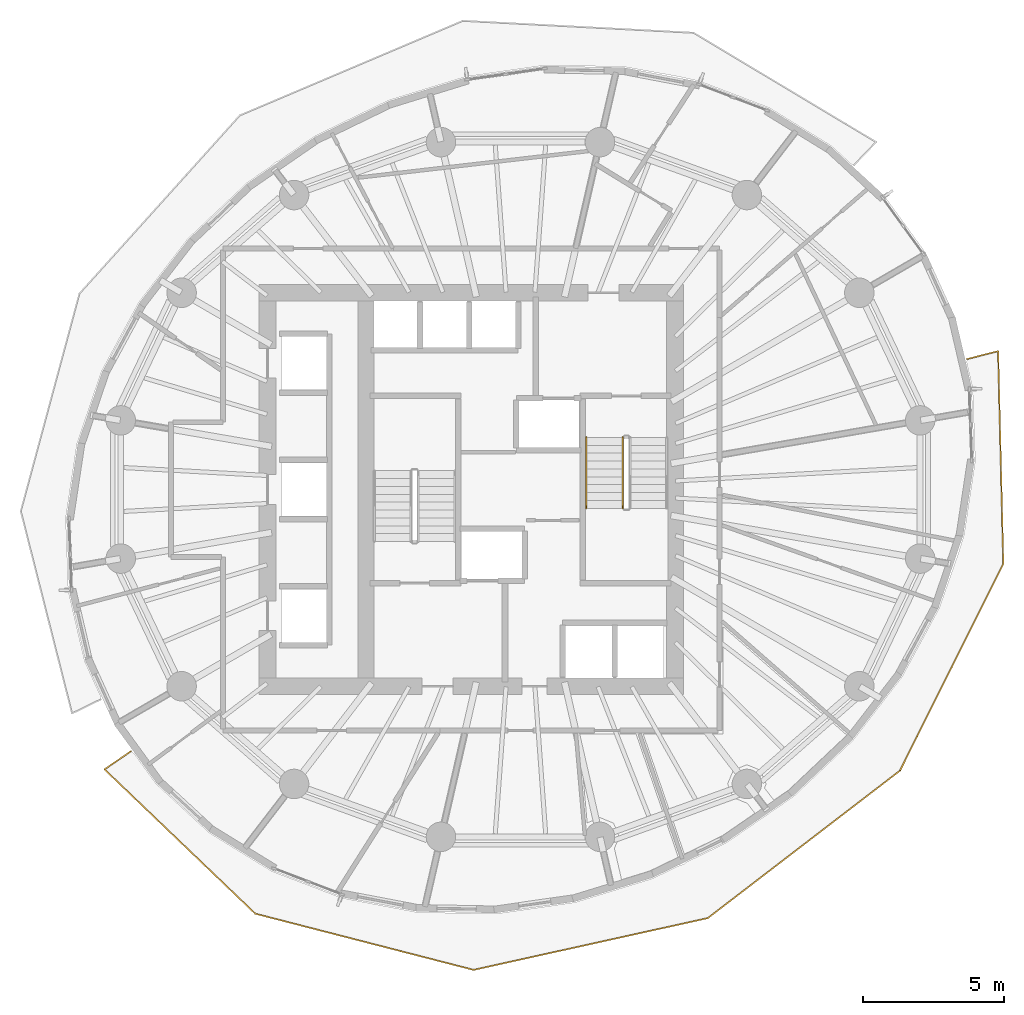
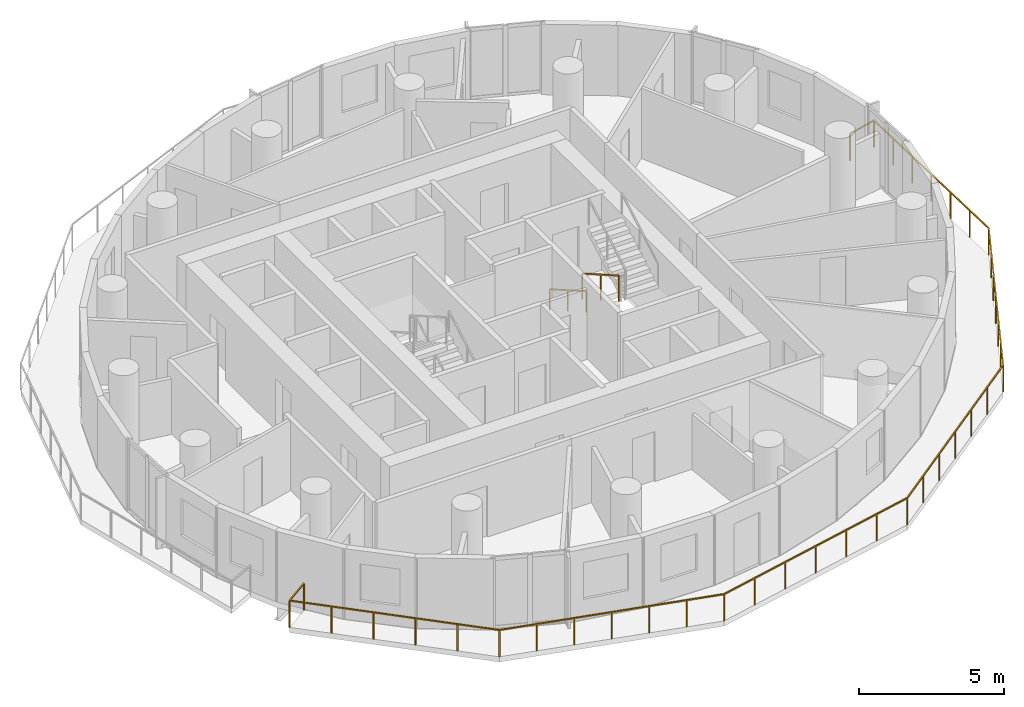
# One storey, part 11 of 14: 3 railings.
"""IFC4 building model written with IfcOpenShell, lengths in metres."""

import ifcopenshell
import ifcopenshell.guid

model = None  # the IFC model being written
_history = None  # IfcOwnerHistory: only IFC2X3 demands one
_inside = {}  # id of a spatial element -> (the spatial element, [elements in it])
_under = {}  # id of a project, library or spatial element -> (it, [spatial elements below it])
_declared = {}  # id of a project -> (the project, [libraries it declares])
_typed = {}  # id of a type object -> (the type object, [elements of that type])
_made_of = {}  # id of a material, layer set ... -> (it, [elements and type objects made of it])


def new_model(schema):
    """Start an empty IFC model of exactly this schema.

    Asked for "IFC4X3", IfcOpenShell would pick the latest addendum, in which some entities
    have other attributes; the version numbers below select the first issue.
    IFC2X3 requires an IfcOwnerHistory on every rooted entity: one is made here for all.
    """
    global model, _history
    if schema == "IFC4X3":
        model = ifcopenshell.file(schema_version=(4, 3, 0, 0))
    else:
        model = ifcopenshell.file(schema=schema)
    _inside.clear()
    _under.clear()
    _declared.clear()
    _typed.clear()
    _made_of.clear()
    _history = None
    if model.schema == "IFC2X3":
        org = make("IfcOrganization", Name="unknown")
        user = make(
            "IfcPersonAndOrganization",
            ThePerson=make("IfcPerson", FamilyName="unknown"),
            TheOrganization=org,
        )
        app = make(
            "IfcApplication",
            ApplicationDeveloper=org,
            Version="unknown",
            ApplicationFullName="unknown",
            ApplicationIdentifier="unknown",
        )
        _history = make(
            "IfcOwnerHistory",
            OwningUser=user,
            OwningApplication=app,
            ChangeAction="ADDED",
            CreationDate=0,
        )
    return model


def make(cls, **values):
    """One entity of the class cls with the attributes given. An attribute that is None is left unset."""
    return model.create_entity(
        cls, **{name: value for name, value in values.items() if value is not None}
    )


def rooted(cls, **values):
    """An entity with a GlobalId (a new one), such as an element, a storey or a relation."""
    return make(cls, GlobalId=ifcopenshell.guid.new(), OwnerHistory=_history, **values)


def si_unit(unit_type, name, prefix=None):
    """IfcSIUnit, for example si_unit("LENGTHUNIT", "METRE", prefix="MILLI")."""
    return make("IfcSIUnit", UnitType=unit_type, Prefix=prefix, Name=name)


def assignment(units):
    """IfcUnitAssignment: the units of a project."""
    return None if units is None else make("IfcUnitAssignment", Units=units)


def point(xyz):
    """IfcCartesianPoint."""
    return None if xyz is None else make("IfcCartesianPoint", Coordinates=xyz)


def direction(xyz):
    """IfcDirection."""
    return None if xyz is None else make("IfcDirection", DirectionRatios=xyz)


def frame(location, z_axis=None, x_axis=None):
    """IfcAxis2Placement3D, a coordinate frame: its origin and axes. An axis left out is left unset."""
    return make(
        "IfcAxis2Placement3D",
        Location=point(location),
        Axis=direction(z_axis),
        RefDirection=direction(x_axis),
    )


def frame_2d(location, x_axis=None):
    """IfcAxis2Placement2D, a coordinate frame in the plane: its origin and x axis."""
    return make(
        "IfcAxis2Placement2D", Location=point(location), RefDirection=direction(x_axis)
    )


def origin():
    """The frame at (0, 0, 0) with its axes left unset."""
    return frame((0.0, 0.0, 0.0))


def origin_2d():
    """The frame at (0, 0) in the plane with its x axis left unset."""
    return frame_2d((0.0, 0.0))


def place(relative_to, where):
    """IfcLocalPlacement: puts the frame where relative to a parent placement (None: the world)."""
    return make(
        "IfcLocalPlacement", PlacementRelTo=relative_to, RelativePlacement=where
    )


def context(
    kind, dimensions, precision=None, world=None, true_north=None, identifier=None
):
    """IfcGeometricRepresentationContext, for example the 3D "Model" context."""
    return make(
        "IfcGeometricRepresentationContext",
        ContextIdentifier=identifier,
        ContextType=kind,
        CoordinateSpaceDimension=dimensions,
        Precision=precision,
        WorldCoordinateSystem=world,
        TrueNorth=true_north,
    )


def subcontext(parent, identifier, kind, view, scale=None):
    """IfcGeometricRepresentationSubContext, for example "Body" below "Model"."""
    return make(
        "IfcGeometricRepresentationSubContext",
        ContextIdentifier=identifier,
        ContextType=kind,
        ParentContext=parent,
        TargetScale=scale,
        TargetView=view,
    )


def project(units=None, contexts=None):
    """IfcProject with its units and contexts."""
    return rooted(
        "IfcProject",
        Name="project",
        RepresentationContexts=contexts,
        UnitsInContext=assignment(units),
    )


def spatial(cls, under=None, at=None, **own):
    """A site, building, storey or space (cls), placed at a placement, below another one or the project."""
    s = rooted(cls, ObjectPlacement=at, **own)
    if under is not None:
        _under.setdefault(under.id(), (under, []))[1].append(s)
    return s


def profile(cls, at=None, kind="AREA", **sizes):
    """A parametric profile (cls). Its sizes go by their IFC names, for example OverallWidth=200.0."""
    return make(cls, ProfileType=kind, Position=at, **sizes)


def rectangle(**sizes):
    """IfcRectangleProfileDef."""
    return profile("IfcRectangleProfileDef", **sizes)


def extrude(swept, where, along, depth):
    """IfcExtrudedAreaSolid: the profile swept, set in the frame where, extruded along a direction by depth."""
    return make(
        "IfcExtrudedAreaSolid",
        SweptArea=swept,
        Position=where,
        ExtrudedDirection=direction(along),
        Depth=depth,
    )


def shape(context_of_items, identifier, shape_type, items):
    """IfcShapeRepresentation: the items that make up one representation, for example the "Body"."""
    return make(
        "IfcShapeRepresentation",
        ContextOfItems=context_of_items,
        RepresentationIdentifier=identifier,
        RepresentationType=shape_type,
        Items=items,
    )


def material(Name=None, Category=None):
    """IfcMaterial."""
    return make("IfcMaterial", Name=Name, Category=Category)


def made_of(thing, what):
    """Note that an element or type object is made of a material, layer set ...; save() writes the relation."""
    if what is not None:
        _made_of.setdefault(what.id(), (what, []))[1].append(thing)
    return thing


def type_object(cls, material=None, **own):
    """A type object (cls), such as IfcWallType, which elements share."""
    return made_of(rooted(cls, **own), material)


def element(
    cls,
    number,
    at=None,
    inside=None,
    cuts=None,
    type_object=None,
    material=None,
    context=None,
    identifier="Body",
    shape_type=None,
    held_by="IfcProductDefinitionShape",
    body=None,
    shapes=None,
    **own,
):
    """One element of the class cls, such as IfcWall. Its Tag is "e" and its number.

    at: its placement. inside: the storey or other place that contains it. cuts: it is an
    opening in that element (IfcRelVoidsElement). A single representation is given by context,
    identifier, shape_type and body (its items); several are given by shapes. held_by: the class
    of the entity that holds the representations. save() writes the other relations.
    """
    e = rooted(cls, Tag="e%d" % number, ObjectPlacement=at, **own)
    if body is not None:
        shapes = [shape(context, identifier, shape_type, body)]
    if shapes is not None:
        e.Representation = make(held_by, Representations=shapes)
    if inside is not None:
        _inside.setdefault(inside.id(), (inside, []))[1].append(e)
    if cuts is not None:
        rooted(
            "IfcRelVoidsElement", RelatingBuildingElement=cuts, RelatedOpeningElement=e
        )
    if type_object is not None:
        _typed.setdefault(type_object.id(), (type_object, []))[1].append(e)
    return made_of(e, material)


def aggregate(whole, parts):
    """IfcRelAggregates: a whole, such as a stair, and the parts it consists of."""
    return rooted("IfcRelAggregates", RelatingObject=whole, RelatedObjects=parts)


def save(model, path):
    """Write the relations noted so far, then the file.

    IfcRelAggregates (storeys below a building ...), IfcRelContainedInSpatialStructure (elements
    in a storey), IfcRelDefinesByType, IfcRelAssociatesMaterial and IfcRelDeclares: one each for
    every whole, place, type object, material and project.
    """
    for whole, parts in _under.values():
        aggregate(whole, parts)
    for where, things in _inside.values():
        rooted(
            "IfcRelContainedInSpatialStructure",
            RelatedElements=things,
            RelatingStructure=where,
        )
    for kind, things in _typed.values():
        rooted("IfcRelDefinesByType", RelatedObjects=things, RelatingType=kind)
    for what, things in _made_of.values():
        rooted("IfcRelAssociatesMaterial", RelatedObjects=things, RelatingMaterial=what)
    for by, libraries in _declared.values():
        rooted("IfcRelDeclares", RelatingContext=by, RelatedDefinitions=libraries)
    model.write(path)


model = new_model("IFC4")

# Units and contexts
model_context = context("Model", 3, precision=1e-05, world=origin(), true_north=direction((0.0, 1.0)))
body_context = subcontext(model_context, "Body", "Model", "MODEL_VIEW")
ifc_project = project(units=[si_unit("LENGTHUNIT", "METRE"), si_unit("AREAUNIT", "SQUARE_METRE"), si_unit("VOLUMEUNIT", "CUBIC_METRE"), si_unit("PLANEANGLEUNIT", "RADIAN"), si_unit("MASSUNIT", "GRAM", prefix="KILO")], contexts=[model_context])

# Site, building, storey
site_placement = place(None, origin())
site = spatial("IfcSite", under=ifc_project, at=site_placement, CompositionType="ELEMENT")
building_placement = place(site_placement, origin())
building = spatial("IfcBuilding", under=site, at=building_placement, Name="Veldorim Arch Residences", CompositionType="ELEMENT")
storey_placement = place(building_placement, frame((0.0, 0.0, 123.360107421875)))
storey = spatial("IfcBuildingStorey", under=building, at=storey_placement, Name="L36", CompositionType="ELEMENT", Elevation=123.360107421875)

# Railings
ifc_material_1 = material(Name="Aluminium", Category="aluminium")
railing_type_1 = type_object("IfcRailingType", Name="Balcony & Terrace Laminated Glass Balustrade 1150", PredefinedType="BALUSTRADE", material=ifc_material_1)
railing_1_placement = place(storey_placement, frame((18.147216796875, 14.69287109375, 0.0)))
element("IfcRailing", 1, at=railing_1_placement, inside=storey, type_object=railing_type_1, Name="L36 crescent balcony safety balustrade B", PredefinedType="BALUSTRADE", context=body_context, shape_type="SweptSolid", body=[
    extrude(rectangle(XDim=0.048095703125, YDim=0.048095703125, at=origin_2d()), frame((0.0, 0.0, 1.1259765625), z_axis=(-0.824728851846, -0.565528355552, 0.0), x_axis=(0.565528355552, -0.824728851846, 0.0)), (0.0, 0.0, 1.0), 1.150146484375),
    extrude(rectangle(XDim=0.048095703125, YDim=0.048095703125, at=origin_2d()), frame((-0.948486328125, -0.650390625, 1.1259765625), z_axis=(0.722399864127, -0.691475550045, 0.0), x_axis=(0.691475550045, 0.722399864127, 0.0)), (0.0, 0.0, 1.0), 7.428955078125),
    extrude(rectangle(XDim=0.048095703125, YDim=0.048095703125, at=origin_2d()), frame((4.418212890625, -5.787353515625, 1.1259765625), z_axis=(0.968423038442, -0.249312692448, 0.0), x_axis=(0.249312692448, 0.968423038442, 0.0)), (0.0, 0.0, 1.0), 8.02001953125),
    extrude(rectangle(XDim=0.048095703125, YDim=0.048095703125, at=origin_2d()), frame((12.18505859375, -7.786865234375, 1.1259765625), z_axis=(0.976416740218, 0.215894301503, 0.0), x_axis=(-0.215894301503, 0.976416740218, 0.0)), (0.0, 0.0, 1.0), 8.533203125),
    extrude(rectangle(XDim=0.048095703125, YDim=0.048095703125, at=origin_2d()), frame((20.51708984375, -5.944580078125, 1.1259765625), z_axis=(0.793408539041, 0.608689485844, 0.0), x_axis=(-0.608689485844, 0.793408539041, 0.0)), (0.0, 0.0, 1.0), 8.622802734375),
    extrude(rectangle(XDim=0.048095703125, YDim=0.048095703125, at=origin_2d()), frame((27.3583984375, -0.696044921875, 1.1259765625), z_axis=(0.446987874806, 0.894540015749, 0.0), x_axis=(-0.894540015749, 0.446987874806, 0.0)), (0.0, 0.0, 1.0), 8.220703125),
    extrude(rectangle(XDim=0.048095703125, YDim=0.048095703125, at=origin_2d()), frame((31.032958984375, 6.65771484375, 1.1259765625), z_axis=(-0.024331146164, 0.999703953842, 0.0), x_axis=(-0.999703953842, -0.024331146164, 0.0)), (0.0, 0.0, 1.0), 7.57568359375),
    extrude(rectangle(XDim=0.048095703125, YDim=0.048095703125, at=origin_2d()), frame((30.8486328125, 14.231201171875, 1.1259765625), z_axis=(-0.969033465083, -0.246929430301, 0.0), x_axis=(0.246929430301, -0.969033465083, 0.0)), (0.0, 0.0, 1.0), 1.14990234375),
    extrude(rectangle(XDim=0.0419921875, YDim=0.0419921875, at=origin_2d()), origin(), (0.0, 0.0, 1.0), 1.101806640625),
    extrude(rectangle(XDim=0.0419921875, YDim=0.0419921875, at=origin_2d()), frame((-0.948486328125, -0.650390625, 0.0)), (0.0, 0.0, 1.0), 1.101806640625),
    extrude(rectangle(XDim=0.0419921875, YDim=0.0419921875, at=origin_2d()), frame((0.124755859375, -1.677734375, 0.0)), (0.0, 0.0, 1.0), 1.101806640625),
    extrude(rectangle(XDim=0.0419921875, YDim=0.0419921875, at=origin_2d()), frame((1.1982421875, -2.705078125, 0.0)), (0.0, 0.0, 1.0), 1.101806640625),
    extrude(rectangle(XDim=0.0419921875, YDim=0.0419921875, at=origin_2d()), frame((2.271484375, -3.732666015625, 0.0)), (0.0, 0.0, 1.0), 1.101806640625),
    extrude(rectangle(XDim=0.0419921875, YDim=0.0419921875, at=origin_2d()), frame((3.344970703125, -4.760009765625, 0.0)), (0.0, 0.0, 1.0), 1.101806640625),
    extrude(rectangle(XDim=0.0419921875, YDim=0.0419921875, at=origin_2d()), frame((4.418212890625, -5.787353515625, 0.0)), (0.0, 0.0, 1.0), 1.101806640625),
    extrude(rectangle(XDim=0.0419921875, YDim=0.0419921875, at=origin_2d()), frame((5.712646484375, -6.12060546875, 0.0)), (0.0, 0.0, 1.0), 1.101806640625),
    extrude(rectangle(XDim=0.0419921875, YDim=0.0419921875, at=origin_2d()), frame((7.007080078125, -6.453857421875, 0.0)), (0.0, 0.0, 1.0), 1.101806640625),
    extrude(rectangle(XDim=0.0419921875, YDim=0.0419921875, at=origin_2d()), frame((8.3017578125, -6.787109375, 0.0)), (0.0, 0.0, 1.0), 1.101806640625),
    extrude(rectangle(XDim=0.0419921875, YDim=0.0419921875, at=origin_2d()), frame((9.59619140625, -7.120361328125, 0.0)), (0.0, 0.0, 1.0), 1.101806640625),
    extrude(rectangle(XDim=0.0419921875, YDim=0.0419921875, at=origin_2d()), frame((10.890625, -7.45361328125, 0.0)), (0.0, 0.0, 1.0), 1.101806640625),
    extrude(rectangle(XDim=0.0419921875, YDim=0.0419921875, at=origin_2d()), frame((12.18505859375, -7.786865234375, 0.0)), (0.0, 0.0, 1.0), 1.101806640625),
    extrude(rectangle(XDim=0.0419921875, YDim=0.0419921875, at=origin_2d()), frame((13.57373046875, -7.479736328125, 0.0)), (0.0, 0.0, 1.0), 1.101806640625),
    extrude(rectangle(XDim=0.0419921875, YDim=0.0419921875, at=origin_2d()), frame((14.96240234375, -7.1728515625, 0.0)), (0.0, 0.0, 1.0), 1.101806640625),
    extrude(rectangle(XDim=0.0419921875, YDim=0.0419921875, at=origin_2d()), frame((16.35107421875, -6.86572265625, 0.0)), (0.0, 0.0, 1.0), 1.101806640625),
    extrude(rectangle(XDim=0.0419921875, YDim=0.0419921875, at=origin_2d()), frame((17.73974609375, -6.55859375, 0.0)), (0.0, 0.0, 1.0), 1.101806640625),
    extrude(rectangle(XDim=0.0419921875, YDim=0.0419921875, at=origin_2d()), frame((19.12841796875, -6.251708984375, 0.0)), (0.0, 0.0, 1.0), 1.101806640625),
    extrude(rectangle(XDim=0.0419921875, YDim=0.0419921875, at=origin_2d()), frame((20.51708984375, -5.944580078125, 0.0)), (0.0, 0.0, 1.0), 1.101806640625),
    extrude(rectangle(XDim=0.0419921875, YDim=0.0419921875, at=origin_2d()), frame((21.6572265625, -5.06982421875, 0.0)), (0.0, 0.0, 1.0), 1.101806640625),
    extrude(rectangle(XDim=0.0419921875, YDim=0.0419921875, at=origin_2d()), frame((22.797607421875, -4.195068359375, 0.0)), (0.0, 0.0, 1.0), 1.101806640625),
    extrude(rectangle(XDim=0.0419921875, YDim=0.0419921875, at=origin_2d()), frame((23.937744140625, -3.3203125, 0.0)), (0.0, 0.0, 1.0), 1.101806640625),
    extrude(rectangle(XDim=0.0419921875, YDim=0.0419921875, at=origin_2d()), frame((25.077880859375, -2.445556640625, 0.0)), (0.0, 0.0, 1.0), 1.101806640625),
    extrude(rectangle(XDim=0.0419921875, YDim=0.0419921875, at=origin_2d()), frame((26.21826171875, -1.57080078125, 0.0)), (0.0, 0.0, 1.0), 1.101806640625),
    extrude(rectangle(XDim=0.0419921875, YDim=0.0419921875, at=origin_2d()), frame((27.3583984375, -0.696044921875, 0.0)), (0.0, 0.0, 1.0), 1.101806640625),
    extrude(rectangle(XDim=0.0419921875, YDim=0.0419921875, at=origin_2d()), frame((27.970703125, 0.529541015625, 0.0)), (0.0, 0.0, 1.0), 1.101806640625),
    extrude(rectangle(XDim=0.0419921875, YDim=0.0419921875, at=origin_2d()), frame((28.583251953125, 1.755126953125, 0.0)), (0.0, 0.0, 1.0), 1.101806640625),
    extrude(rectangle(XDim=0.0419921875, YDim=0.0419921875, at=origin_2d()), frame((29.19580078125, 2.98095703125, 0.0)), (0.0, 0.0, 1.0), 1.101806640625),
    extrude(rectangle(XDim=0.0419921875, YDim=0.0419921875, at=origin_2d()), frame((29.80810546875, 4.20654296875, 0.0)), (0.0, 0.0, 1.0), 1.101806640625),
    extrude(rectangle(XDim=0.0419921875, YDim=0.0419921875, at=origin_2d()), frame((30.42041015625, 5.43212890625, 0.0)), (0.0, 0.0, 1.0), 1.101806640625),
    extrude(rectangle(XDim=0.0419921875, YDim=0.0419921875, at=origin_2d()), frame((31.032958984375, 6.65771484375, 0.0)), (0.0, 0.0, 1.0), 1.101806640625),
    extrude(rectangle(XDim=0.0419921875, YDim=0.0419921875, at=origin_2d()), frame((31.002197265625, 7.919921875, 0.0)), (0.0, 0.0, 1.0), 1.101806640625),
    extrude(rectangle(XDim=0.0419921875, YDim=0.0419921875, at=origin_2d()), frame((30.971435546875, 9.18212890625, 0.0)), (0.0, 0.0, 1.0), 1.101806640625),
    extrude(rectangle(XDim=0.0419921875, YDim=0.0419921875, at=origin_2d()), frame((30.94091796875, 10.4443359375, 0.0)), (0.0, 0.0, 1.0), 1.101806640625),
    extrude(rectangle(XDim=0.0419921875, YDim=0.0419921875, at=origin_2d()), frame((30.91015625, 11.706787109375, 0.0)), (0.0, 0.0, 1.0), 1.101806640625),
    extrude(rectangle(XDim=0.0419921875, YDim=0.0419921875, at=origin_2d()), frame((30.87939453125, 12.968994140625, 0.0)), (0.0, 0.0, 1.0), 1.101806640625),
    extrude(rectangle(XDim=0.0419921875, YDim=0.0419921875, at=origin_2d()), frame((30.8486328125, 14.231201171875, 0.0)), (0.0, 0.0, 1.0), 1.101806640625),
    extrude(rectangle(XDim=0.0419921875, YDim=0.0419921875, at=origin_2d()), frame((29.734375, 13.947265625, 0.0)), (0.0, 0.0, 1.0), 1.101806640625),
])
ifc_material_2 = material(Name="Steel S355", Category="steel")
railing_type_2 = type_object("IfcRailingType", Name="Galvanised Steel Stair Safety Guardrail 1100", PredefinedType="GUARDRAIL", material=ifc_material_2)
railing_2_placement = place(storey_placement, frame((35.639892578125, 25.85009765625, 0.159912109375)))
element("IfcRailing", 2, at=railing_2_placement, inside=storey, type_object=railing_type_2, Name="L36 ST-2 stair guard 1", PredefinedType="GUARDRAIL", context=body_context, shape_type="SweptSolid", body=[
    extrude(rectangle(XDim=0.048095703125, YDim=0.048095703125, at=origin_2d()), frame((0.0, 0.0, 1.076171875), z_axis=(0.0, -0.868253494771, 0.496120820787), x_axis=(1.0, 0.0, 0.0)), (0.0, 0.0, 1.0), 2.90234375),
    extrude(rectangle(XDim=0.0419921875, YDim=0.0419921875, at=origin_2d()), origin(), (0.0, 0.0, 1.0), 1.052001953125),
    extrude(rectangle(XDim=0.0419921875, YDim=0.0419921875, at=origin_2d()), frame((0.0, -1.260009765625, 0.719970703125)), (0.0, 0.0, 1.0), 1.052001953125),
    extrude(rectangle(XDim=0.0419921875, YDim=0.0419921875, at=origin_2d()), frame((0.0, -2.52001953125, 1.43994140625)), (0.0, 0.0, 1.0), 1.052001953125),
])
ifc_material_3 = material(Name="Stainless Steel", Category="steel")
railing_type_3 = type_object("IfcRailingType", Name="Tubular Steel Continuous Wall Handrail 900", PredefinedType="HANDRAIL", material=ifc_material_3)
railing_3_placement = place(storey_placement, frame((34.340087890625, 25.85009765625, 0.159912109375)))
element("IfcRailing", 3, at=railing_3_placement, inside=storey, type_object=railing_type_3, Name="L36 ST-2 stair handrail 1", PredefinedType="HANDRAIL", context=body_context, shape_type="SweptSolid", body=[
    extrude(rectangle(XDim=0.048095703125, YDim=0.048095703125, at=origin_2d()), frame((0.0, 0.0, 0.8759765625), z_axis=(0.0, -0.868253494771, 0.496120820787), x_axis=(1.0, 0.0, 0.0)), (0.0, 0.0, 1.0), 2.90234375),
    extrude(rectangle(XDim=0.0419921875, YDim=0.0419921875, at=origin_2d()), origin(), (0.0, 0.0, 1.0), 0.851806640625),
    extrude(rectangle(XDim=0.0419921875, YDim=0.0419921875, at=origin_2d()), frame((0.0, -1.260009765625, 0.719970703125)), (0.0, 0.0, 1.0), 0.851806640625),
    extrude(rectangle(XDim=0.0419921875, YDim=0.0419921875, at=origin_2d()), frame((0.0, -2.52001953125, 1.43994140625)), (0.0, 0.0, 1.0), 0.851806640625),
])

save(model, "model.ifc")
